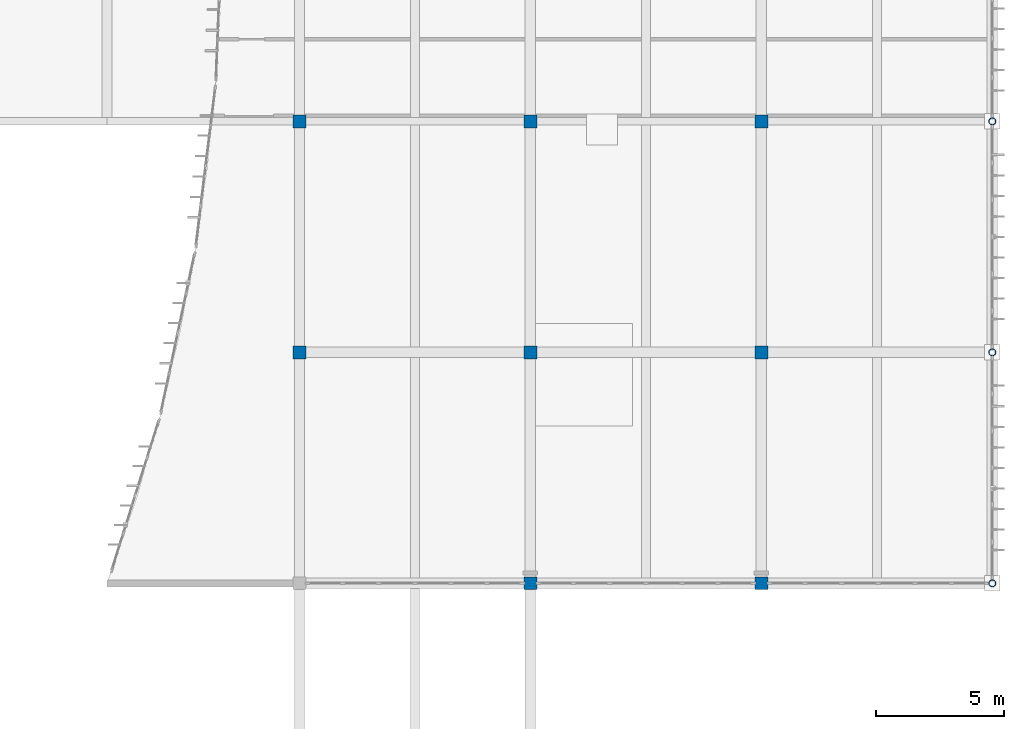
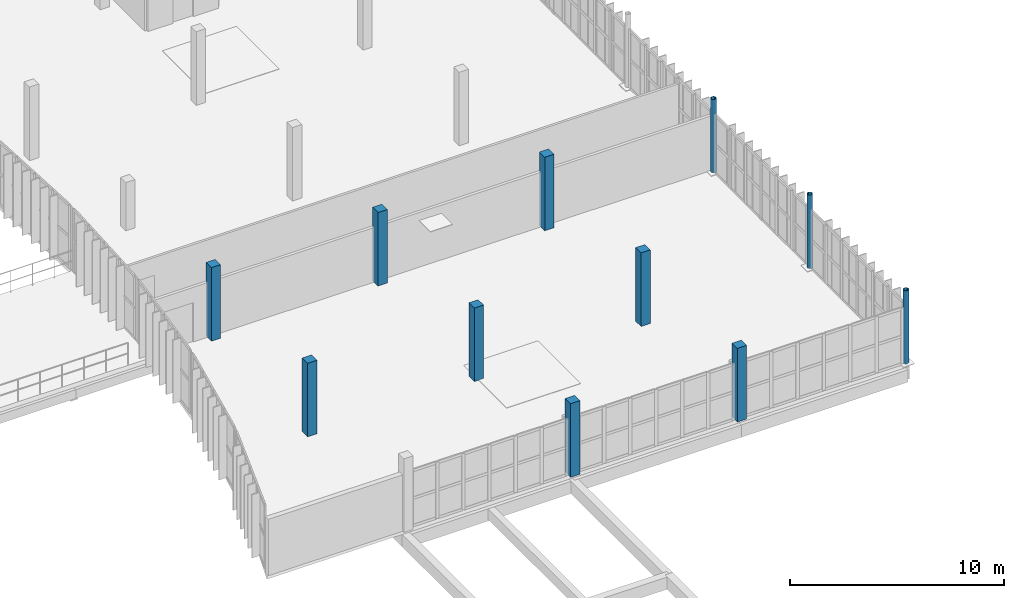
# One storey, part 2 of 61: 11 columns.
"""IFC4 building model written with IfcOpenShell, lengths in metres."""

from ifc_helpers import new_model, si_unit, direction, frame, origin, origin_2d, place, context, subcontext, project, spatial, rectangle, hollow_circle, extrude, material, material_profile, profile_set, type_object, element, save


model = new_model("IFC4")

# Units and contexts
model_context = context("Model", 3, precision=1e-05, world=origin(), true_north=direction((0.0, 1.0)))
body_context = subcontext(model_context, "Body", "Model", "MODEL_VIEW")
ifc_project = project(units=[si_unit("LENGTHUNIT", "METRE"), si_unit("AREAUNIT", "SQUARE_METRE"), si_unit("VOLUMEUNIT", "CUBIC_METRE"), si_unit("PLANEANGLEUNIT", "RADIAN"), si_unit("MASSUNIT", "GRAM", prefix="KILO")], contexts=[model_context])

# Site, building, storey
site_placement = place(None, origin())
site = spatial("IfcSite", under=ifc_project, at=site_placement, CompositionType="ELEMENT")
building_placement = place(site_placement, origin())
building = spatial("IfcBuilding", under=site, at=building_placement, Name="Vourika Railside Aquatics Centre", CompositionType="ELEMENT")
storey_placement = place(building_placement, frame((0.0, 0.0, 9.300048828125)))
storey = spatial("IfcBuildingStorey", under=building, at=storey_placement, Name="L02", CompositionType="ELEMENT", Elevation=9.300048828125)

# Columns
ifc_material_1 = material(Name="Concrete C35/45", Category="concrete")
ifc_material_profile_1 = material_profile(ifc_material_1, rectangle(XDim=0.5, YDim=0.5, at=origin_2d()), Name="RC 500x500")
ifc_profile_set_1 = profile_set([ifc_material_profile_1], Name="Concrete C35/45")
column_type_1 = type_object("IfcColumnType", Name="COL-RC500", PredefinedType="COLUMN", material=ifc_profile_set_1)
for number, where, z_axis, x_axis, name in (
    (1, (141.0, 49.0, 0.0), (0.0, 0.0, 1.0), (1.0, 0.0, 0.0), "Column col:L02:1410_490"),
    (2, (141.0, 58.0, 0.0), (0.0, 0.0, 1.0), (1.0, 0.0, 0.0), "Column col:L02:1410_580"),
    (3, (150.0, 40.0, 0.0), (0.0, 0.0, 1.0), (1.0, 0.0, 0.0), "Column col:L02:1500_400"),
    (4, (150.0, 49.0, 0.0), (0.0, 0.0, 1.0), (1.0, 0.0, 0.0), "Column col:L02:1500_490"),
    (5, (150.0, 58.0, 0.0), (0.0, 0.0, 1.0), (1.0, 0.0, 0.0), "Column col:L02:1500_580"),
    (6, (159.0, 40.0, 0.0), (0.0, 0.0, 1.0), (1.0, 0.0, 0.0), "Column col:L02:1590_400"),
    (7, (159.0, 49.0, 0.0), (0.0, 0.0, 1.0), (1.0, 0.0, 0.0), "Column col:L02:1590_490"),
    (8, (159.0, 58.0, 0.0), (0.0, 0.0, 1.0), (1.0, 0.0, 0.0), "Column col:L02:1590_580"),
):
    element("IfcColumn", number, at=place(storey_placement, frame(where, z_axis=z_axis, x_axis=x_axis)), inside=storey, type_object=column_type_1, Name=name, PredefinedType="COLUMN", context=body_context, shape_type="SweptSolid", body=[
        extrude(rectangle(XDim=0.5, YDim=0.5, at=origin_2d()), origin(), (0.0, 0.0, 1.0), 4.199951171875),
    ])
ifc_material_2 = material(Name="Steel S355J2", Category="steel")
ifc_material_profile_2 = material_profile(ifc_material_2, hollow_circle(Radius=0.136474609375, WallThickness=0.012451171875, at=origin_2d()), Name="CHS 273x12.5")
ifc_profile_set_2 = profile_set([ifc_material_profile_2], Name="Steel S355J2")
column_type_2 = type_object("IfcColumnType", Name="COL-STL-CHS273", PredefinedType="COLUMN", material=ifc_profile_set_2)
for number, where, z_axis, x_axis, name in (
    (9, (168.0, 40.0, 0.0), (0.0, 0.0, 1.0), (1.0, 0.0, 0.0), "Column col:L02:1680_400"),
    (10, (168.0, 49.0, 0.0), (0.0, 0.0, 1.0), (1.0, 0.0, 0.0), "Column col:L02:1680_490"),
    (11, (168.0, 58.0, 0.0), (0.0, 0.0, 1.0), (1.0, 0.0, 0.0), "Column col:L02:1680_580"),
):
    element("IfcColumn", number, at=place(storey_placement, frame(where, z_axis=z_axis, x_axis=x_axis)), inside=storey, type_object=column_type_2, Name=name, PredefinedType="COLUMN", context=body_context, shape_type="SweptSolid", body=[
        extrude(hollow_circle(Radius=0.136474609375, WallThickness=0.012451171875, at=origin_2d()), origin(), (0.0, 0.0, 1.0), 4.199951171875),
    ])

save(model, "model.ifc")
